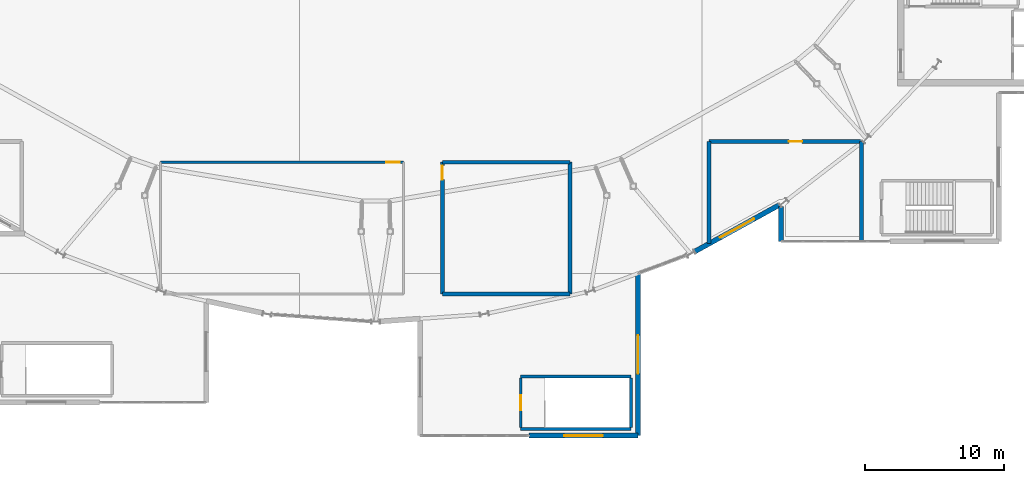
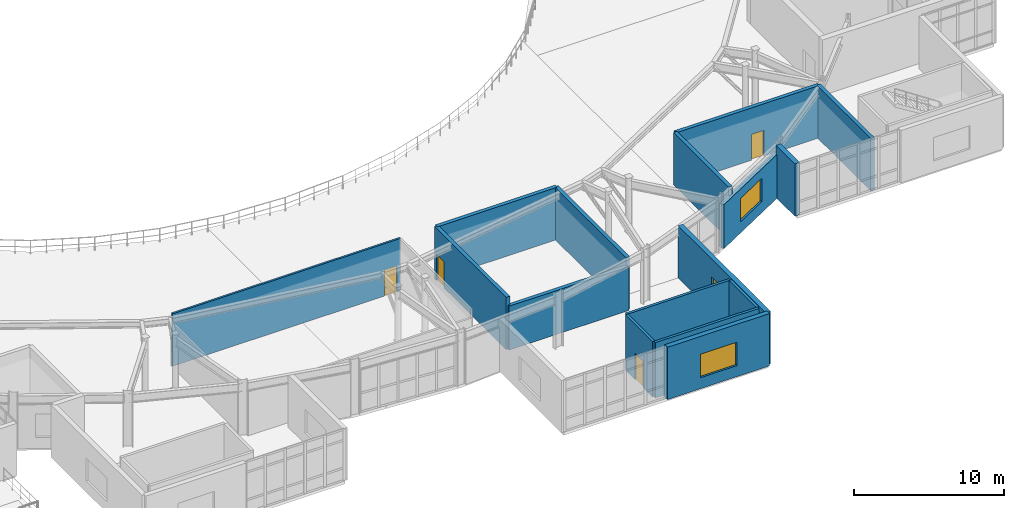
# One storey, part 38 of 48: 16 walls, 4 doors, 3 windows, 7 openings.
"""IFC4 building model written with IfcOpenShell, lengths in metres."""

import ifcopenshell
import ifcopenshell.guid

model = None  # the IFC model being written
_history = None  # IfcOwnerHistory: only IFC2X3 demands one
_inside = {}  # id of a spatial element -> (the spatial element, [elements in it])
_under = {}  # id of a project, library or spatial element -> (it, [spatial elements below it])
_declared = {}  # id of a project -> (the project, [libraries it declares])
_typed = {}  # id of a type object -> (the type object, [elements of that type])
_made_of = {}  # id of a material, layer set ... -> (it, [elements and type objects made of it])


def new_model(schema):
    """Start an empty IFC model of exactly this schema.

    Asked for "IFC4X3", IfcOpenShell would pick the latest addendum, in which some entities
    have other attributes; the version numbers below select the first issue.
    IFC2X3 requires an IfcOwnerHistory on every rooted entity: one is made here for all.
    """
    global model, _history
    if schema == "IFC4X3":
        model = ifcopenshell.file(schema_version=(4, 3, 0, 0))
    else:
        model = ifcopenshell.file(schema=schema)
    _inside.clear()
    _under.clear()
    _declared.clear()
    _typed.clear()
    _made_of.clear()
    _history = None
    if model.schema == "IFC2X3":
        org = make("IfcOrganization", Name="unknown")
        user = make(
            "IfcPersonAndOrganization",
            ThePerson=make("IfcPerson", FamilyName="unknown"),
            TheOrganization=org,
        )
        app = make(
            "IfcApplication",
            ApplicationDeveloper=org,
            Version="unknown",
            ApplicationFullName="unknown",
            ApplicationIdentifier="unknown",
        )
        _history = make(
            "IfcOwnerHistory",
            OwningUser=user,
            OwningApplication=app,
            ChangeAction="ADDED",
            CreationDate=0,
        )
    return model


def make(cls, **values):
    """One entity of the class cls with the attributes given. An attribute that is None is left unset."""
    return model.create_entity(
        cls, **{name: value for name, value in values.items() if value is not None}
    )


def rooted(cls, **values):
    """An entity with a GlobalId (a new one), such as an element, a storey or a relation."""
    return make(cls, GlobalId=ifcopenshell.guid.new(), OwnerHistory=_history, **values)


def si_unit(unit_type, name, prefix=None):
    """IfcSIUnit, for example si_unit("LENGTHUNIT", "METRE", prefix="MILLI")."""
    return make("IfcSIUnit", UnitType=unit_type, Prefix=prefix, Name=name)


def assignment(units):
    """IfcUnitAssignment: the units of a project."""
    return None if units is None else make("IfcUnitAssignment", Units=units)


def point(xyz):
    """IfcCartesianPoint."""
    return None if xyz is None else make("IfcCartesianPoint", Coordinates=xyz)


def direction(xyz):
    """IfcDirection."""
    return None if xyz is None else make("IfcDirection", DirectionRatios=xyz)


def frame(location, z_axis=None, x_axis=None):
    """IfcAxis2Placement3D, a coordinate frame: its origin and axes. An axis left out is left unset."""
    return make(
        "IfcAxis2Placement3D",
        Location=point(location),
        Axis=direction(z_axis),
        RefDirection=direction(x_axis),
    )


def frame_2d(location, x_axis=None):
    """IfcAxis2Placement2D, a coordinate frame in the plane: its origin and x axis."""
    return make(
        "IfcAxis2Placement2D", Location=point(location), RefDirection=direction(x_axis)
    )


def origin():
    """The frame at (0, 0, 0) with its axes left unset."""
    return frame((0.0, 0.0, 0.0))


def place(relative_to, where):
    """IfcLocalPlacement: puts the frame where relative to a parent placement (None: the world)."""
    return make(
        "IfcLocalPlacement", PlacementRelTo=relative_to, RelativePlacement=where
    )


def context(
    kind, dimensions, precision=None, world=None, true_north=None, identifier=None
):
    """IfcGeometricRepresentationContext, for example the 3D "Model" context."""
    return make(
        "IfcGeometricRepresentationContext",
        ContextIdentifier=identifier,
        ContextType=kind,
        CoordinateSpaceDimension=dimensions,
        Precision=precision,
        WorldCoordinateSystem=world,
        TrueNorth=true_north,
    )


def subcontext(parent, identifier, kind, view, scale=None):
    """IfcGeometricRepresentationSubContext, for example "Body" below "Model"."""
    return make(
        "IfcGeometricRepresentationSubContext",
        ContextIdentifier=identifier,
        ContextType=kind,
        ParentContext=parent,
        TargetScale=scale,
        TargetView=view,
    )


def project(units=None, contexts=None):
    """IfcProject with its units and contexts."""
    return rooted(
        "IfcProject",
        Name="project",
        RepresentationContexts=contexts,
        UnitsInContext=assignment(units),
    )


def spatial(cls, under=None, at=None, **own):
    """A site, building, storey or space (cls), placed at a placement, below another one or the project."""
    s = rooted(cls, ObjectPlacement=at, **own)
    if under is not None:
        _under.setdefault(under.id(), (under, []))[1].append(s)
    return s


def profile(cls, at=None, kind="AREA", **sizes):
    """A parametric profile (cls). Its sizes go by their IFC names, for example OverallWidth=200.0."""
    return make(cls, ProfileType=kind, Position=at, **sizes)


def rectangle(**sizes):
    """IfcRectangleProfileDef."""
    return profile("IfcRectangleProfileDef", **sizes)


def extrude(swept, where, along, depth):
    """IfcExtrudedAreaSolid: the profile swept, set in the frame where, extruded along a direction by depth."""
    return make(
        "IfcExtrudedAreaSolid",
        SweptArea=swept,
        Position=where,
        ExtrudedDirection=direction(along),
        Depth=depth,
    )


def shape(context_of_items, identifier, shape_type, items):
    """IfcShapeRepresentation: the items that make up one representation, for example the "Body"."""
    return make(
        "IfcShapeRepresentation",
        ContextOfItems=context_of_items,
        RepresentationIdentifier=identifier,
        RepresentationType=shape_type,
        Items=items,
    )


def material(Name=None, Category=None):
    """IfcMaterial."""
    return make("IfcMaterial", Name=Name, Category=Category)


def layer(
    of_material, thickness, ventilated=None, Name=None, Category=None, Priority=None
):
    """IfcMaterialLayer: one layer of a wall or slab, of a material (None: an air gap)."""
    return make(
        "IfcMaterialLayer",
        Material=of_material,
        LayerThickness=thickness,
        IsVentilated=ventilated,
        Name=Name,
        Category=Category,
        Priority=Priority,
    )


def layer_set(layers, Name=None):
    """IfcMaterialLayerSet."""
    return make("IfcMaterialLayerSet", MaterialLayers=layers, LayerSetName=Name)


def made_of(thing, what):
    """Note that an element or type object is made of a material, layer set ...; save() writes the relation."""
    if what is not None:
        _made_of.setdefault(what.id(), (what, []))[1].append(thing)
    return thing


def type_object(cls, material=None, **own):
    """A type object (cls), such as IfcWallType, which elements share."""
    return made_of(rooted(cls, **own), material)


def element(
    cls,
    number,
    at=None,
    inside=None,
    cuts=None,
    type_object=None,
    material=None,
    context=None,
    identifier="Body",
    shape_type=None,
    held_by="IfcProductDefinitionShape",
    body=None,
    shapes=None,
    **own,
):
    """One element of the class cls, such as IfcWall. Its Tag is "e" and its number.

    at: its placement. inside: the storey or other place that contains it. cuts: it is an
    opening in that element (IfcRelVoidsElement). A single representation is given by context,
    identifier, shape_type and body (its items); several are given by shapes. held_by: the class
    of the entity that holds the representations. save() writes the other relations.
    """
    e = rooted(cls, Tag="e%d" % number, ObjectPlacement=at, **own)
    if body is not None:
        shapes = [shape(context, identifier, shape_type, body)]
    if shapes is not None:
        e.Representation = make(held_by, Representations=shapes)
    if inside is not None:
        _inside.setdefault(inside.id(), (inside, []))[1].append(e)
    if cuts is not None:
        rooted(
            "IfcRelVoidsElement", RelatingBuildingElement=cuts, RelatedOpeningElement=e
        )
    if type_object is not None:
        _typed.setdefault(type_object.id(), (type_object, []))[1].append(e)
    return made_of(e, material)


def fill(opening, filler):
    """IfcRelFillsElement: the door or window that sits in an opening."""
    return rooted(
        "IfcRelFillsElement",
        RelatingOpeningElement=opening,
        RelatedBuildingElement=filler,
    )


def aggregate(whole, parts):
    """IfcRelAggregates: a whole, such as a stair, and the parts it consists of."""
    return rooted("IfcRelAggregates", RelatingObject=whole, RelatedObjects=parts)


def save(model, path):
    """Write the relations noted so far, then the file.

    IfcRelAggregates (storeys below a building ...), IfcRelContainedInSpatialStructure (elements
    in a storey), IfcRelDefinesByType, IfcRelAssociatesMaterial and IfcRelDeclares: one each for
    every whole, place, type object, material and project.
    """
    for whole, parts in _under.values():
        aggregate(whole, parts)
    for where, things in _inside.values():
        rooted(
            "IfcRelContainedInSpatialStructure",
            RelatedElements=things,
            RelatingStructure=where,
        )
    for kind, things in _typed.values():
        rooted("IfcRelDefinesByType", RelatedObjects=things, RelatingType=kind)
    for what, things in _made_of.values():
        rooted("IfcRelAssociatesMaterial", RelatedObjects=things, RelatingMaterial=what)
    for by, libraries in _declared.values():
        rooted("IfcRelDeclares", RelatingContext=by, RelatedDefinitions=libraries)
    model.write(path)


model = new_model("IFC4")

# Units and contexts
model_context = context("Model", 3, precision=1e-05, world=origin(), true_north=direction((0.0, 1.0)))
body_context = subcontext(model_context, "Body", "Model", "MODEL_VIEW")
ifc_project = project(units=[si_unit("LENGTHUNIT", "METRE"), si_unit("AREAUNIT", "SQUARE_METRE"), si_unit("VOLUMEUNIT", "CUBIC_METRE"), si_unit("PLANEANGLEUNIT", "RADIAN"), si_unit("MASSUNIT", "GRAM", prefix="KILO")], contexts=[model_context])

# Site, building, storey
site_placement = place(None, origin())
site = spatial("IfcSite", under=ifc_project, at=site_placement, CompositionType="ELEMENT")
building_placement = place(site_placement, origin())
building = spatial("IfcBuilding", under=site, at=building_placement, Name="Glasvene Arena", CompositionType="ELEMENT")
storey_placement = place(building_placement, frame((0.0, 0.0, 19.5)))
storey = spatial("IfcBuildingStorey", under=building, at=storey_placement, Name="L04", CompositionType="ELEMENT", Elevation=19.5)

# Wall
ifc_material_1 = material(Name="Coursed pale Irish limestone", Category="masonry")
ifc_layer_1 = layer(ifc_material_1, 0.360107421875)
ifc_layer_set_1 = layer_set([ifc_layer_1], Name="Coursed pale Irish limestone")
wall_type_1 = type_object("IfcWallType", Name="WL-EXT-LIM-360", PredefinedType="STANDARD", material=ifc_layer_set_1)
wall_1_placement = place(storey_placement, frame((121.199951171875, 33.800048828125, 0.0), z_axis=(0.0, 0.0, 1.0), x_axis=(0.0, 1.0, 0.0)))
element("IfcWall", 1, at=wall_1_placement, inside=storey, type_object=wall_type_1, Name="External facade wall EW-L04-0276", PredefinedType="STANDARD", context=body_context, shape_type="SweptSolid", body=[
    extrude(rectangle(XDim=2.508056640625, YDim=0.360107421875, at=frame_2d((1.25390625, 0.0))), origin(), (0.0, 0.0, 1.0), 4.25),
])

# Wall, opening, window
wall_2_placement = place(storey_placement, frame((121.098388671875, 36.433837890625, 0.0), z_axis=(0.0, 0.0, 1.0), x_axis=(-0.875644499298, -0.482956220426, 0.0)))
wall_2 = element("IfcWall", 2, at=wall_2_placement, inside=storey, type_object=wall_type_1, Name="External facade wall EW-L04-0277", PredefinedType="STANDARD", context=body_context, shape_type="SweptSolid", body=[
    extrude(rectangle(XDim=6.980712890625, YDim=0.360107421875, at=frame_2d((3.490234375, 0.0))), origin(), (0.0, 0.0, 1.0), 3.5615234375),
])
opening_1_placement = place(wall_2_placement, frame((2.090087890625, 0.0, 0.89990234375)))
opening_1 = element("IfcOpeningElement", 3, at=opening_1_placement, cuts=wall_2, Name="Opening W-10", PredefinedType="OPENING", context=body_context, shape_type="SweptSolid", body=[
    extrude(rectangle(XDim=2.800048828125, YDim=1.89990234375, at=frame_2d((1.39990234375, 0.949951171875))), frame((0.0, 0.18994140625, 0.0), z_axis=(0.0, -1.0, 0.0), x_axis=(1.0, 0.0, 0.0)), (0.0, 0.0, 1.0), 0.380126953125),
])
ifc_material_2 = material(Name="Low-emissivity laminated double glazing", Category="glass")
window_type = type_object("IfcWindowType", Name="WN-SKY-280x190", PartitioningType="DOUBLE_PANEL_VERTICAL", PredefinedType="WINDOW", material=ifc_material_2)
window_1_placement = place(opening_1_placement, origin())
window_1 = element("IfcWindow", 4, at=window_1_placement, inside=storey, type_object=window_type, Name="Facade window WN-SKY-280x190 L04-0177", OverallHeight=1.89990234375, OverallWidth=2.800048828125, PartitioningType="SINGLE_PANEL", PredefinedType="WINDOW", context=body_context, shape_type="SweptSolid", body=[
    extrude(rectangle(XDim=2.800048828125, YDim=1.89990234375, at=frame_2d((1.39990234375, 0.949951171875))), frame((0.0, 0.030029296875, 0.0), z_axis=(0.0, -1.0, 0.0), x_axis=(1.0, 0.0, 0.0)), (0.0, 0.0, 1.0), 0.06005859375),
])
fill(opening_1, window_1)

wall_3_placement = place(storey_placement, frame((110.89990234375, 31.48828125, 0.0), z_axis=(0.0, 0.0, 1.0), x_axis=(0.0, -1.0, 0.0)))
wall_3 = element("IfcWall", 5, at=wall_3_placement, inside=storey, type_object=wall_type_1, Name="External facade wall EW-L04-0278", PredefinedType="STANDARD", context=body_context, shape_type="SweptSolid", body=[
    extrude(rectangle(XDim=11.688232421875, YDim=0.360107421875, at=frame_2d((5.84423828125, 0.0))), origin(), (0.0, 0.0, 1.0), 4.25),
])
opening_2_placement = place(wall_3_placement, frame((4.444091796875, 0.0, 0.89990234375)))
opening_2 = element("IfcOpeningElement", 6, at=opening_2_placement, cuts=wall_3, Name="Opening W-10", PredefinedType="OPENING", context=body_context, shape_type="SweptSolid", body=[
    extrude(rectangle(XDim=2.800048828125, YDim=1.89990234375, at=frame_2d((1.39990234375, 0.949951171875))), frame((0.0, 0.18994140625, 0.0), z_axis=(0.0, -1.0, 0.0), x_axis=(1.0, 0.0, 0.0)), (0.0, 0.0, 1.0), 0.380126953125),
])
window_2_placement = place(opening_2_placement, origin())
window_2 = element("IfcWindow", 7, at=window_2_placement, inside=storey, type_object=window_type, Name="Facade window WN-SKY-280x190 L04-0178", OverallHeight=1.89990234375, OverallWidth=2.800048828125, PartitioningType="SINGLE_PANEL", PredefinedType="WINDOW", context=body_context, shape_type="SweptSolid", body=[
    extrude(rectangle(XDim=2.800048828125, YDim=1.89990234375, at=frame_2d((1.39990234375, 0.949951171875))), frame((0.0, 0.030029296875, 0.0), z_axis=(0.0, -1.0, 0.0), x_axis=(1.0, 0.0, 0.0)), (0.0, 0.0, 1.0), 0.06005859375),
])
fill(opening_2, window_2)

wall_4_placement = place(storey_placement, frame((110.89990234375, 19.800048828125, 0.0), z_axis=(0.0, 0.0, 1.0), x_axis=(-1.0, 0.0, 0.0)))
wall_4 = element("IfcWall", 8, at=wall_4_placement, inside=storey, type_object=wall_type_1, Name="External facade wall EW-L04-0279", PredefinedType="STANDARD", context=body_context, shape_type="SweptSolid", body=[
    extrude(rectangle(XDim=7.849853515625, YDim=0.360107421875, at=frame_2d((3.9248046875, 0.0))), origin(), (0.0, 0.0, 1.0), 4.25),
])
opening_3_placement = place(wall_4_placement, frame((2.52490234375, 0.0, 0.89990234375)))
opening_3 = element("IfcOpeningElement", 9, at=opening_3_placement, cuts=wall_4, Name="Opening W-10", PredefinedType="OPENING", context=body_context, shape_type="SweptSolid", body=[
    extrude(rectangle(XDim=2.800048828125, YDim=1.89990234375, at=frame_2d((1.39990234375, 0.949951171875))), frame((0.0, 0.18994140625, 0.0), z_axis=(0.0, -1.0, 0.0), x_axis=(1.0, 0.0, 0.0)), (0.0, 0.0, 1.0), 0.380126953125),
])
window_3_placement = place(opening_3_placement, origin())
window_3 = element("IfcWindow", 10, at=window_3_placement, inside=storey, type_object=window_type, Name="Facade window WN-SKY-280x190 L04-0179", OverallHeight=1.89990234375, OverallWidth=2.800048828125, PartitioningType="SINGLE_PANEL", PredefinedType="WINDOW", context=body_context, shape_type="SweptSolid", body=[
    extrude(rectangle(XDim=2.800048828125, YDim=1.89990234375, at=frame_2d((1.39990234375, 0.949951171875))), frame((0.0, 0.030029296875, 0.0), z_axis=(0.0, -1.0, 0.0), x_axis=(1.0, 0.0, 0.0)), (0.0, 0.0, 1.0), 0.06005859375),
])
fill(opening_3, window_3)

# Wall, opening, door
ifc_material_3 = material(Name="Insulated acoustic metal-stud partition")
ifc_layer_2 = layer(ifc_material_3, 0.14990234375)
ifc_layer_set_2 = layer_set([ifc_layer_2], Name="Insulated acoustic metal-stud partition")
wall_type_2 = type_object("IfcWallType", Name="WL-PART-150", PredefinedType="PARTITIONING", material=ifc_layer_set_2)
wall_5_placement = place(storey_placement, frame((76.5, 39.5, 0.0), z_axis=(0.0, 0.0, 1.0), x_axis=(1.0, 0.0, 0.0)))
wall_5 = element("IfcWall", 11, at=wall_5_placement, inside=storey, type_object=wall_type_2, Name="Interior partition wall IW-L04-0300 (Sky Terrace Lounge South)", PredefinedType="PARTITIONING", context=body_context, shape_type="SweptSolid", body=[
    extrude(rectangle(XDim=17.5, YDim=0.14990234375, at=frame_2d((8.75, 0.0))), origin(), (0.0, 0.0, 1.0), 4.25),
])
opening_4_placement = place(wall_5_placement, frame((16.27490234375, 0.0, 0.0)))
opening_4 = element("IfcOpeningElement", 12, at=opening_4_placement, cuts=wall_5, Name="Opening D-07", PredefinedType="OPENING", context=body_context, shape_type="SweptSolid", body=[
    extrude(rectangle(XDim=0.949951171875, YDim=2.10009765625, at=frame_2d((0.47509765625, 1.050048828125))), frame((0.0, 0.0849609375, 0.0), z_axis=(0.0, -1.0, 0.0), x_axis=(1.0, 0.0, 0.0)), (0.0, 0.0, 1.0), 0.169921875),
])
ifc_material_4 = material(Name="European oak fire-resisting timber", Category="wood")
door_type_1 = type_object("IfcDoorType", Name="DR-FD30-950", OperationType="NOTDEFINED", PredefinedType="DOOR", material=ifc_material_4)
door_1_placement = place(opening_4_placement, origin())
door_1 = element("IfcDoor", 13, at=door_1_placement, inside=storey, type_object=door_type_1, Name="Interior door DR-FD30-950 (Sky Terrace Lounge South)", OperationType="SINGLE_SWING_LEFT", OverallHeight=2.10009765625, OverallWidth=0.949951171875, PredefinedType="DOOR", context=body_context, shape_type="SweptSolid", body=[
    extrude(rectangle(XDim=0.949951171875, YDim=2.10009765625, at=frame_2d((0.47509765625, 1.050048828125))), frame((0.0, 0.02490234375, 0.0), z_axis=(0.0, -1.0, 0.0), x_axis=(1.0, 0.0, 0.0)), (0.0, 0.0, 1.0), 0.050048828125),
])
fill(opening_4, door_1)

# Wall
ifc_material_5 = material(Name="Concrete C40/50", Category="concrete")
ifc_layer_3 = layer(ifc_material_5, 0.199951171875)
ifc_layer_set_3 = layer_set([ifc_layer_3], Name="Concrete C40/50")
wall_type_3 = type_object("IfcWallType", Name="WL-SHAFT-200", PredefinedType="SHEAR", material=ifc_layer_set_3)
wall_6_placement = place(storey_placement, frame((102.449951171875, 20.280029296875, 0.0), z_axis=(0.0, 0.0, 1.0), x_axis=(1.0, 0.0, 0.0)))
element("IfcWall", 14, at=wall_6_placement, inside=storey, type_object=wall_type_3, Name="Escape stair shaft wall ST-09 L04 S", PredefinedType="SHEAR", context=body_context, shape_type="SweptSolid", body=[
    extrude(rectangle(XDim=7.949951171875, YDim=0.199951171875, at=frame_2d((3.97509765625, 0.0))), origin(), (0.0, 0.0, 1.0), 4.5),
])

# Wall, opening, door
wall_7_placement = place(storey_placement, frame((102.449951171875, 20.382080078125, 0.0), z_axis=(0.0, 0.0, 1.0), x_axis=(0.0, 1.0, 0.0)))
wall_7 = element("IfcWall", 15, at=wall_7_placement, inside=storey, type_object=wall_type_3, Name="Escape stair shaft wall ST-09 L04 W", PredefinedType="SHEAR", context=body_context, shape_type="SweptSolid", body=[
    extrude(rectangle(XDim=3.5859375, YDim=0.199951171875, at=frame_2d((1.79296875, 0.0))), origin(), (0.0, 0.0, 1.0), 4.5),
])
opening_5_placement = place(wall_7_placement, frame((1.242919921875, 0.0, 0.0)))
opening_5 = element("IfcOpeningElement", 16, at=opening_5_placement, cuts=wall_7, Name="Opening D-04", PredefinedType="OPENING", context=body_context, shape_type="SweptSolid", body=[
    extrude(rectangle(XDim=1.10009765625, YDim=2.14990234375, at=frame_2d((0.550048828125, 1.074951171875))), frame((0.0, 0.10986328125, 0.0), z_axis=(0.0, -1.0, 0.0), x_axis=(1.0, 0.0, 0.0)), (0.0, 0.0, 1.0), 0.219970703125),
])
ifc_material_6 = material(Name="Painted fire-resisting steel", Category="steel")
door_type_2 = type_object("IfcDoorType", Name="DR-FD60-1100", OperationType="NOTDEFINED", PredefinedType="DOOR", material=ifc_material_6)
door_2_placement = place(opening_5_placement, frame((1.10009765625, 0.0, 0.0), z_axis=(0.0, 0.0, 1.0), x_axis=(-1.0, 0.0, 0.0)))
door_2 = element("IfcDoor", 17, at=door_2_placement, inside=storey, type_object=door_type_2, Name="Protected escape stair door ST-09 L04", OperationType="SINGLE_SWING_LEFT", OverallHeight=2.14990234375, OverallWidth=1.10009765625, PredefinedType="DOOR", context=body_context, shape_type="SweptSolid", body=[
    extrude(rectangle(XDim=1.10009765625, YDim=2.14990234375, at=frame_2d((0.550048828125, 1.074951171875))), frame((0.0, 0.02490234375, 0.0), z_axis=(0.0, -1.0, 0.0), x_axis=(1.0, 0.0, 0.0)), (0.0, 0.0, 1.0), 0.050048828125),
])
fill(opening_5, door_2)

# Walls
wall_8_placement = place(storey_placement, frame((110.39990234375, 20.382080078125, 0.0), z_axis=(0.0, 0.0, 1.0), x_axis=(0.0, 1.0, 0.0)))
element("IfcWall", 18, at=wall_8_placement, inside=storey, type_object=wall_type_3, Name="Escape stair shaft wall ST-09 L04 E", PredefinedType="SHEAR", context=body_context, shape_type="SweptSolid", body=[
    extrude(rectangle(XDim=3.5859375, YDim=0.199951171875, at=frame_2d((1.79296875, 0.0))), origin(), (0.0, 0.0, 1.0), 4.5),
])
wall_9_placement = place(storey_placement, frame((102.449951171875, 24.070068359375, 0.0), z_axis=(0.0, 0.0, 1.0), x_axis=(1.0, 0.0, 0.0)))
element("IfcWall", 19, at=wall_9_placement, inside=storey, type_object=wall_type_3, Name="Escape stair shaft wall ST-09 L04 N", PredefinedType="SHEAR", context=body_context, shape_type="SweptSolid", body=[
    extrude(rectangle(XDim=7.949951171875, YDim=0.199951171875, at=frame_2d((3.97509765625, 0.0))), origin(), (0.0, 0.0, 1.0), 4.5),
])
ifc_material_7 = material(Name="Twin-frame acoustic gypsum partition")
ifc_layer_4 = layer(ifc_material_7, 0.280029296875)
ifc_layer_set_4 = layer_set([ifc_layer_4], Name="Twin-frame acoustic gypsum partition")
wall_type_4 = type_object("IfcWallType", Name="WL-STUDIO-280", PredefinedType="PARTITIONING", material=ifc_layer_set_4)
wall_10_placement = place(storey_placement, frame((116.0, 33.661865234375, 0.0), z_axis=(0.0, 0.0, 1.0), x_axis=(0.0, 1.0, 0.0)))
element("IfcWall", 20, at=wall_10_placement, inside=storey, type_object=wall_type_4, Name="Interior partition wall IW-L04-0308 (Television Broadcast Studio 2)", PredefinedType="PARTITIONING", context=body_context, shape_type="SweptSolid", body=[
    extrude(rectangle(XDim=7.338134765625, YDim=0.280029296875, at=frame_2d((3.6689453125, 0.0))), origin(), (0.0, 0.0, 1.0), 4.25),
])

# Wall, opening, door
wall_11_placement = place(storey_placement, frame((116.0, 41.0, 0.0), z_axis=(0.0, 0.0, 1.0), x_axis=(1.0, 0.0, 0.0)))
wall_11 = element("IfcWall", 21, at=wall_11_placement, inside=storey, type_object=wall_type_4, Name="Interior partition wall IW-L04-0309 (Television Broadcast Studio 2)", PredefinedType="PARTITIONING", context=body_context, shape_type="SweptSolid", body=[
    extrude(rectangle(XDim=11.0, YDim=0.280029296875, at=frame_2d((5.5, 0.0))), origin(), (0.0, 0.0, 1.0), 4.25),
])
opening_6_placement = place(wall_11_placement, frame((5.77490234375, 0.0, 0.0)))
opening_6 = element("IfcOpeningElement", 22, at=opening_6_placement, cuts=wall_11, Name="Opening D-07", PredefinedType="OPENING", context=body_context, shape_type="SweptSolid", body=[
    extrude(rectangle(XDim=0.949951171875, YDim=2.10009765625, at=frame_2d((0.47509765625, 1.050048828125))), frame((0.0, 0.14990234375, 0.0), z_axis=(0.0, -1.0, 0.0), x_axis=(1.0, 0.0, 0.0)), (0.0, 0.0, 1.0), 0.300048828125),
])
door_3_placement = place(opening_6_placement, origin())
door_3 = element("IfcDoor", 23, at=door_3_placement, inside=storey, type_object=door_type_1, Name="Interior door DR-FD30-950 (Television Broadcast Studio 2)", OperationType="SINGLE_SWING_LEFT", OverallHeight=2.10009765625, OverallWidth=0.949951171875, PredefinedType="DOOR", context=body_context, shape_type="SweptSolid", body=[
    extrude(rectangle(XDim=0.949951171875, YDim=2.10009765625, at=frame_2d((0.47509765625, 1.050048828125))), frame((0.0, 0.02490234375, 0.0), z_axis=(0.0, -1.0, 0.0), x_axis=(1.0, 0.0, 0.0)), (0.0, 0.0, 1.0), 0.050048828125),
])
fill(opening_6, door_3)

# Walls
wall_12_placement = place(storey_placement, frame((127.0, 41.0, 0.0), z_axis=(0.0, 0.0, 1.0), x_axis=(0.0, -1.0, 0.0)))
element("IfcWall", 24, at=wall_12_placement, inside=storey, type_object=wall_type_4, Name="Interior partition wall IW-L04-0310 (Television Broadcast Studio 2)", PredefinedType="PARTITIONING", context=body_context, shape_type="SweptSolid", body=[
    extrude(rectangle(XDim=7.179931640625, YDim=0.280029296875, at=frame_2d((3.58984375, 0.0))), origin(), (0.0, 0.0, 1.0), 4.25),
])
wall_13_placement = place(storey_placement, frame((96.800048828125, 39.5, 0.0), z_axis=(0.0, 0.0, 1.0), x_axis=(1.0, 0.0, 0.0)))
element("IfcWall", 25, at=wall_13_placement, inside=storey, type_object=wall_type_4, Name="Interior partition wall IW-L04-0311 (Post-Production Editing Suite)", PredefinedType="PARTITIONING", context=body_context, shape_type="SweptSolid", body=[
    extrude(rectangle(XDim=9.199951171875, YDim=0.280029296875, at=frame_2d((4.60009765625, 0.0))), origin(), (0.0, 0.0, 1.0), 4.25),
])
wall_14_placement = place(storey_placement, frame((106.0, 39.5, 0.0), z_axis=(0.0, 0.0, 1.0), x_axis=(0.0, -1.0, 0.0)))
element("IfcWall", 26, at=wall_14_placement, inside=storey, type_object=wall_type_4, Name="Interior partition wall IW-L04-0312 (Post-Production Editing Suite)", PredefinedType="PARTITIONING", context=body_context, shape_type="SweptSolid", body=[
    extrude(rectangle(XDim=9.5, YDim=0.280029296875, at=frame_2d((4.75, 0.0))), origin(), (0.0, 0.0, 1.0), 4.25),
])
wall_15_placement = place(storey_placement, frame((106.0, 30.0, 0.0), z_axis=(0.0, 0.0, 1.0), x_axis=(-1.0, 0.0, 0.0)))
element("IfcWall", 27, at=wall_15_placement, inside=storey, type_object=wall_type_4, Name="Interior partition wall IW-L04-0313 (Post-Production Editing Suite)", PredefinedType="PARTITIONING", context=body_context, shape_type="SweptSolid", body=[
    extrude(rectangle(XDim=9.199951171875, YDim=0.280029296875, at=frame_2d((4.60009765625, 0.0))), origin(), (0.0, 0.0, 1.0), 3.5615234375),
])

# Wall, opening, door
wall_16_placement = place(storey_placement, frame((96.800048828125, 30.0, 0.0), z_axis=(0.0, 0.0, 1.0), x_axis=(0.0, 1.0, 0.0)))
wall_16 = element("IfcWall", 28, at=wall_16_placement, inside=storey, type_object=wall_type_4, Name="Interior partition wall IW-L04-0314 (Post-Production Editing Suite)", PredefinedType="PARTITIONING", context=body_context, shape_type="SweptSolid", body=[
    extrude(rectangle(XDim=9.5, YDim=0.280029296875, at=frame_2d((4.75, 0.0))), origin(), (0.0, 0.0, 1.0), 4.25),
])
opening_7_placement = place(wall_16_placement, frame((8.25, 0.0, 0.0)))
opening_7 = element("IfcOpeningElement", 29, at=opening_7_placement, cuts=wall_16, Name="Opening D-06", PredefinedType="OPENING", context=body_context, shape_type="SweptSolid", body=[
    extrude(rectangle(XDim=1.0, YDim=2.14990234375, at=frame_2d((0.5, 1.074951171875))), frame((0.0, 0.14990234375, 0.0), z_axis=(0.0, -1.0, 0.0), x_axis=(1.0, 0.0, 0.0)), (0.0, 0.0, 1.0), 0.300048828125),
])
door_type_3 = type_object("IfcDoorType", Name="DR-FD30-1000", OperationType="NOTDEFINED", PredefinedType="DOOR", material=ifc_material_4)
door_4_placement = place(opening_7_placement, origin())
door_4 = element("IfcDoor", 30, at=door_4_placement, inside=storey, type_object=door_type_3, Name="Interior door DR-FD30-1000 (Post-Production Editing Suite)", OperationType="SINGLE_SWING_RIGHT", OverallHeight=2.14990234375, OverallWidth=1.0, PredefinedType="DOOR", context=body_context, shape_type="SweptSolid", body=[
    extrude(rectangle(XDim=1.0, YDim=2.14990234375, at=frame_2d((0.5, 1.074951171875))), frame((0.0, 0.02490234375, 0.0), z_axis=(0.0, -1.0, 0.0), x_axis=(1.0, 0.0, 0.0)), (0.0, 0.0, 1.0), 0.050048828125),
])
fill(opening_7, door_4)

save(model, "model.ifc")
